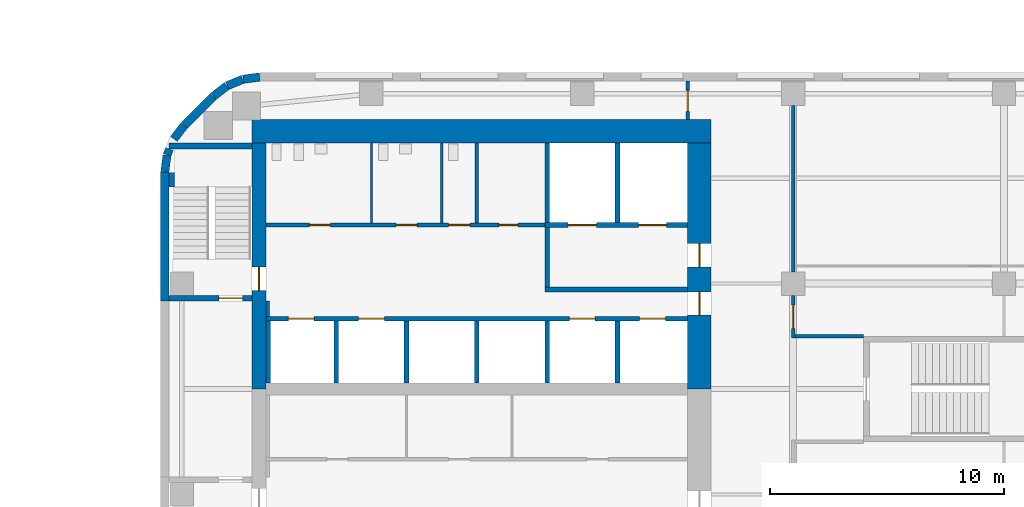
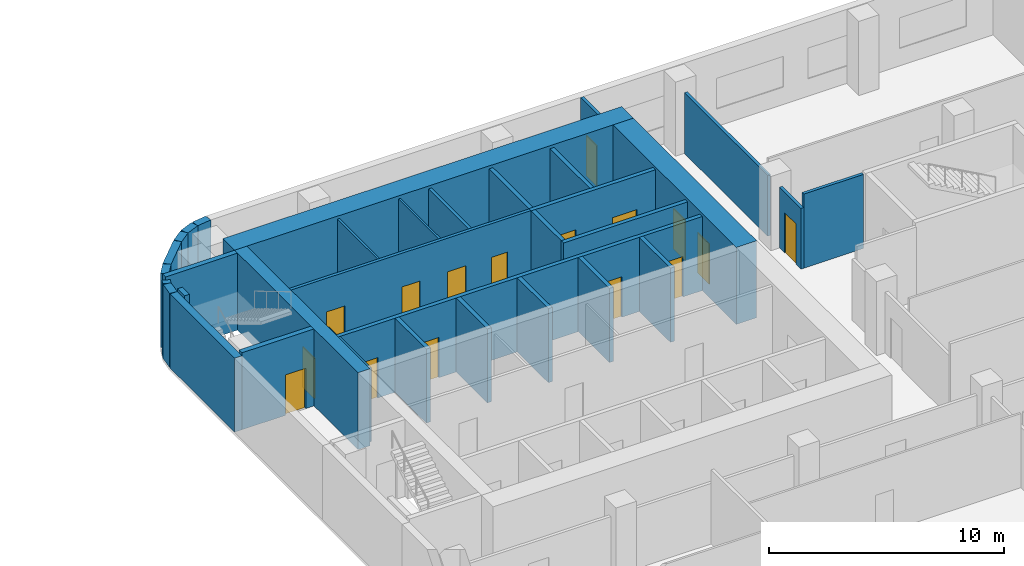
# One storey, part 11 of 16: 35 walls, 16 doors, 16 openings.
"""IFC4 building model written with IfcOpenShell, lengths in metres."""

from ifc_helpers import new_model, si_unit, direction, frame, frame_2d, origin, place, context, subcontext, project, spatial, rectangle, extrude, material, layer, layer_set, type_object, element, fill, save


model = new_model("IFC4")

# Units and contexts
model_context = context("Model", 3, precision=1e-05, world=origin(), true_north=direction((0.0, 1.0)))
body_context = subcontext(model_context, "Body", "Model", "MODEL_VIEW")
ifc_project = project(units=[si_unit("LENGTHUNIT", "METRE"), si_unit("AREAUNIT", "SQUARE_METRE"), si_unit("VOLUMEUNIT", "CUBIC_METRE"), si_unit("PLANEANGLEUNIT", "RADIAN"), si_unit("MASSUNIT", "GRAM", prefix="KILO")], contexts=[model_context])

# Site, building, storey
site_placement = place(None, origin())
site = spatial("IfcSite", under=ifc_project, at=site_placement, CompositionType="ELEMENT")
building_placement = place(site_placement, origin())
building = spatial("IfcBuilding", under=site, at=building_placement, Name="Cinnabar Reach Civic Tower", CompositionType="ELEMENT")
storey_placement = place(building_placement, frame((0.0, 0.0, 55.0)))
storey = spatial("IfcBuildingStorey", under=building, at=storey_placement, Name="L12", CompositionType="ELEMENT", Elevation=55.0)

# Walls
ifc_material_1 = material(Name="Facing brick with insulated backing", Category="masonry")
ifc_layer_1 = layer(ifc_material_1, 0.36)
ifc_layer_set_1 = layer_set([ifc_layer_1], Name="Brick corner wall")
wall_type_1 = type_object("IfcWallType", Name="Brick corner wall", PredefinedType="STANDARD", material=ifc_layer_set_1)
for number, where, z_axis, x_axis, name in (
    (1, (4.2314, 44.817, 0.0), (0.0, 0.0, 1.0), (-0.99144092581, -0.13055608231, 0.0), "Brick corner wall"),
    (2, (3.5027, 44.7181, 0.0), (0.0, 0.0, 1.0), (-0.923871547278, -0.382702709855, 0.0), "Brick corner wall"),
):
    element("IfcWall", number, at=place(storey_placement, frame(where, z_axis=z_axis, x_axis=x_axis)), inside=storey, type_object=wall_type_1, Name=name, PredefinedType="STANDARD", context=body_context, shape_type="SweptSolid", body=[
        extrude(rectangle(XDim=0.7131, YDim=0.36, at=frame_2d((0.3565, 0.0))), origin(), (0.0, 0.0, 1.0), 3.85),
    ])
for number, where, z_axis, x_axis, name in (
    (3, (2.8245, 44.434, 0.0), (0.0, 0.0, 1.0), (-0.793321924995, -0.608802368033, 0.0), "Brick corner wall"),
    (4, (1.0002, 42.7413, 0.0), (0.0, 0.0, 1.0), (-0.608802368033, -0.793321924995, 0.0), "Brick corner wall"),
):
    element("IfcWall", number, at=place(storey_placement, frame(where, z_axis=z_axis, x_axis=x_axis)), inside=storey, type_object=wall_type_1, Name=name, PredefinedType="STANDARD", context=body_context, shape_type="SweptSolid", body=[
        extrude(rectangle(XDim=0.7132, YDim=0.36, at=frame_2d((0.3566, 0.0))), origin(), (0.0, 0.0, 1.0), 3.85),
    ])
wall_1_placement = place(storey_placement, frame((0.3808, 41.736, 0.0), z_axis=(0.0, 0.0, 1.0), x_axis=(-0.382773360986, -0.923842277729, 0.0)))
element("IfcWall", 5, at=wall_1_placement, inside=storey, type_object=wall_type_1, Name="Brick corner wall", PredefinedType="STANDARD", context=body_context, shape_type="SweptSolid", body=[
    extrude(rectangle(XDim=0.2584, YDim=0.36, at=frame_2d((0.1292, 0.0))), origin(), (0.0, 0.0, 1.0), 3.85),
])
wall_2_placement = place(storey_placement, frame((0.2761, 41.4756, 0.0), z_axis=(0.0, 0.0, 1.0), x_axis=(-0.13055608231, -0.99144092581, 0.0)))
element("IfcWall", 6, at=wall_2_placement, inside=storey, type_object=wall_type_1, Name="Brick corner wall", PredefinedType="STANDARD", context=body_context, shape_type="SweptSolid", body=[
    extrude(rectangle(XDim=0.7131, YDim=0.36, at=frame_2d((0.3565, 0.0))), origin(), (0.0, 0.0, 1.0), 3.85),
])
ifc_layer_2 = layer(ifc_material_1, 0.36)
ifc_layer_set_2 = layer_set([ifc_layer_2], Name="Brick pier and spandrel wall")
wall_type_2 = type_object("IfcWallType", Name="Brick pier and spandrel wall", PredefinedType="STANDARD", material=ifc_layer_set_2)
wall_3_placement = place(storey_placement, frame((2.2486, 43.994, 0.0), z_axis=(0.0, 0.0, 1.0), x_axis=(-0.707106781187, -0.707106781187, 0.0)))
element("IfcWall", 7, at=wall_3_placement, inside=storey, type_object=wall_type_2, Name="Brick facade wall", PredefinedType="STANDARD", context=body_context, shape_type="SweptSolid", body=[
    extrude(rectangle(XDim=1.7573, YDim=0.36, at=frame_2d((0.8787, 0.0))), origin(), (0.0, 0.0, 1.0), 3.85),
])
wall_4_placement = place(storey_placement, frame((0.18, 40.7574, 0.0), z_axis=(0.0, 0.0, 1.0), x_axis=(0.0, -1.0, 0.0)))
element("IfcWall", 8, at=wall_4_placement, inside=storey, type_object=wall_type_2, Name="Brick facade wall", PredefinedType="STANDARD", context=body_context, shape_type="SweptSolid", body=[
    extrude(rectangle(XDim=5.5074, YDim=0.36, at=frame_2d((2.7537, 0.0))), origin(), (0.0, 0.0, 1.0), 3.85),
])
ifc_material_2 = material(Name="Concrete C70", Category="concrete")
ifc_layer_3 = layer(ifc_material_2, 1.0)
ifc_layer_set_3 = layer_set([ifc_layer_3], Name="Core wall 1000 EI 180")
wall_type_3 = type_object("IfcWallType", Name="Core wall 1000 EI 180", PredefinedType="SOLIDWALL", material=ifc_layer_set_3)
wall_5_placement = place(storey_placement, frame((23.5, 42.5, 0.0), z_axis=(0.0, 0.0, 1.0), x_axis=(-1.0, 0.0, 0.0)))
element("IfcWall", 9, at=wall_5_placement, inside=storey, type_object=wall_type_3, Name="Core wall T1 L12 N", PredefinedType="SOLIDWALL", context=body_context, shape_type="SweptSolid", body=[
    extrude(rectangle(XDim=19.6, YDim=1.0, at=frame_2d((9.8, 0.0))), origin(), (0.0, 0.0, 1.0), 4.0),
])

# Wall, openings, doors
wall_6_placement = place(storey_placement, frame((23.0, 31.5, 0.0), z_axis=(0.0, 0.0, 1.0), x_axis=(0.0, 1.0, 0.0)))
wall_6 = element("IfcWall", 10, at=wall_6_placement, inside=storey, type_object=wall_type_3, Name="Core wall T1 L12 E2", PredefinedType="SOLIDWALL", context=body_context, shape_type="SweptSolid", body=[
    extrude(rectangle(XDim=10.5, YDim=1.0, at=frame_2d((5.25, 0.0))), origin(), (0.0, 0.0, 1.0), 4.0),
])
opening_1_placement = place(wall_6_placement, frame((3.15, 0.0, 0.0)))
opening_1 = element("IfcOpeningElement", 11, at=opening_1_placement, cuts=wall_6, Name="Opening D3486", PredefinedType="OPENING", context=body_context, shape_type="SweptSolid", body=[
    extrude(rectangle(XDim=1.0, YDim=2.1, at=frame_2d((0.5, 1.05))), frame((0.0, 0.51, 0.0), z_axis=(0.0, -1.0, 0.0), x_axis=(1.0, 0.0, 0.0)), (0.0, 0.0, 1.0), 1.02),
])
opening_2_placement = place(wall_6_placement, frame((5.2, 0.0, 0.0)))
opening_2 = element("IfcOpeningElement", 12, at=opening_2_placement, cuts=wall_6, Name="Opening D3487", PredefinedType="OPENING", context=body_context, shape_type="SweptSolid", body=[
    extrude(rectangle(XDim=1.0, YDim=2.1, at=frame_2d((0.5, 1.05))), frame((0.0, 0.51, 0.0), z_axis=(0.0, -1.0, 0.0), x_axis=(1.0, 0.0, 0.0)), (0.0, 0.0, 1.0), 1.02),
])
ifc_material_3 = material(Name="Timber door leaf in steel frame", Category="steel")
door_type_1 = type_object("IfcDoorType", Name="Firefighting lobby door 1000 x 2100 T1", OperationType="SINGLE_SWING_LEFT", PredefinedType="DOOR", material=ifc_material_3)
door_1_placement = place(opening_2_placement, origin())
door_1 = element("IfcDoor", 13, at=door_1_placement, inside=storey, type_object=door_type_1, Name="Door D3487", OperationType="SINGLE_SWING_RIGHT", OverallHeight=2.1, OverallWidth=1.0, PredefinedType="DOOR", context=body_context, shape_type="SweptSolid", body=[
    extrude(rectangle(XDim=1.0, YDim=2.1, at=frame_2d((0.5, 1.05))), frame((0.0, 0.025, 0.0), z_axis=(0.0, -1.0, 0.0), x_axis=(1.0, 0.0, 0.0)), (0.0, 0.0, 1.0), 0.05),
])
fill(opening_2, door_1)
door_type_2 = type_object("IfcDoorType", Name="Single swing door 1000 x 2100 T1", OperationType="SINGLE_SWING_LEFT", PredefinedType="DOOR", material=ifc_material_3)
door_2_placement = place(opening_1_placement, origin())
door_2 = element("IfcDoor", 14, at=door_2_placement, inside=storey, type_object=door_type_2, Name="Door D3486", OperationType="SINGLE_SWING_RIGHT", OverallHeight=2.1, OverallWidth=1.0, PredefinedType="DOOR", context=body_context, shape_type="SweptSolid", body=[
    extrude(rectangle(XDim=1.0, YDim=2.1, at=frame_2d((0.5, 1.05))), frame((0.0, 0.025, 0.0), z_axis=(0.0, -1.0, 0.0), x_axis=(1.0, 0.0, 0.0)), (0.0, 0.0, 1.0), 0.05),
])
fill(opening_1, door_2)

# Wall, opening, door
ifc_layer_4 = layer(ifc_material_2, 0.6)
ifc_layer_set_4 = layer_set([ifc_layer_4], Name="Core wall 600 EI 180")
wall_type_4 = type_object("IfcWallType", Name="Core wall 600 EI 180", PredefinedType="SOLIDWALL", material=ifc_layer_set_4)
wall_7_placement = place(storey_placement, frame((4.2, 42.0, 0.0), z_axis=(0.0, 0.0, 1.0), x_axis=(0.0, -1.0, 0.0)))
wall_7 = element("IfcWall", 15, at=wall_7_placement, inside=storey, type_object=wall_type_4, Name="Core wall T1 L12 W", PredefinedType="SOLIDWALL", context=body_context, shape_type="SweptSolid", body=[
    extrude(rectangle(XDim=10.5, YDim=0.6, at=frame_2d((5.25, 0.0))), origin(), (0.0, 0.0, 1.0), 4.0),
])
opening_3_placement = place(wall_7_placement, frame((5.3, 0.0, 0.0)))
opening_3 = element("IfcOpeningElement", 16, at=opening_3_placement, cuts=wall_7, Name="Opening D3471", PredefinedType="OPENING", context=body_context, shape_type="SweptSolid", body=[
    extrude(rectangle(XDim=1.0, YDim=2.1, at=frame_2d((0.5, 1.05))), frame((0.0, 0.31, 0.0), z_axis=(0.0, -1.0, 0.0), x_axis=(1.0, 0.0, 0.0)), (0.0, 0.0, 1.0), 0.62),
])
door_type_3 = type_object("IfcDoorType", Name="Stair door 1000 x 2100 T1", OperationType="SINGLE_SWING_LEFT", PredefinedType="DOOR", material=ifc_material_3)
door_3_placement = place(opening_3_placement, frame((1.0, 0.0, 0.0), z_axis=(0.0, 0.0, 1.0), x_axis=(-1.0, 0.0, 0.0)))
door_3 = element("IfcDoor", 17, at=door_3_placement, inside=storey, type_object=door_type_3, Name="Door D3471", OperationType="SINGLE_SWING_LEFT", OverallHeight=2.1, OverallWidth=1.0, PredefinedType="DOOR", context=body_context, shape_type="SweptSolid", body=[
    extrude(rectangle(XDim=1.0, YDim=2.1, at=frame_2d((0.5, 1.05))), frame((0.0, 0.025, 0.0), z_axis=(0.0, -1.0, 0.0), x_axis=(1.0, 0.0, 0.0)), (0.0, 0.0, 1.0), 0.05),
])
fill(opening_3, door_3)

# Wall, openings, doors
ifc_material_4 = material(Name="Gypsum board on steel studs, double layer", Category="steel")
ifc_layer_5 = layer(ifc_material_4, 0.15)
ifc_layer_set_5 = layer_set([ifc_layer_5], Name="Corridor wall 150 T1")
wall_type_5 = type_object("IfcWallType", Name="Corridor wall 150 T1", PredefinedType="PARTITIONING", material=ifc_layer_set_5)
wall_8_placement = place(storey_placement, frame((4.5, 38.5, 0.0), z_axis=(0.0, 0.0, 1.0), x_axis=(1.0, 0.0, 0.0)))
wall_8 = element("IfcWall", 18, at=wall_8_placement, inside=storey, type_object=wall_type_5, Name="Corridor wall 28", PredefinedType="PARTITIONING", context=body_context, shape_type="SweptSolid", body=[
    extrude(rectangle(XDim=11.9, YDim=0.15, at=frame_2d((5.95, 0.0))), origin(), (0.0, 0.0, 1.0), 3.85),
])
opening_4_placement = place(wall_8_placement, frame((1.85, 0.0, 0.0)))
opening_4 = element("IfcOpeningElement", 19, at=opening_4_placement, cuts=wall_8, Name="Opening D3492", PredefinedType="OPENING", context=body_context, shape_type="SweptSolid", body=[
    extrude(rectangle(XDim=0.9, YDim=2.1, at=frame_2d((0.45, 1.05))), frame((0.0, 0.085, 0.0), z_axis=(0.0, -1.0, 0.0), x_axis=(1.0, 0.0, 0.0)), (0.0, 0.0, 1.0), 0.17),
])
opening_5_placement = place(wall_8_placement, frame((5.55, 0.0, 0.0)))
opening_5 = element("IfcOpeningElement", 20, at=opening_5_placement, cuts=wall_8, Name="Opening D3493", PredefinedType="OPENING", context=body_context, shape_type="SweptSolid", body=[
    extrude(rectangle(XDim=0.9, YDim=2.1, at=frame_2d((0.45, 1.05))), frame((0.0, 0.085, 0.0), z_axis=(0.0, -1.0, 0.0), x_axis=(1.0, 0.0, 0.0)), (0.0, 0.0, 1.0), 0.17),
])
opening_6_placement = place(wall_8_placement, frame((7.8, 0.0, 0.0)))
opening_6 = element("IfcOpeningElement", 21, at=opening_6_placement, cuts=wall_8, Name="Opening D3494", PredefinedType="OPENING", context=body_context, shape_type="SweptSolid", body=[
    extrude(rectangle(XDim=0.9, YDim=2.1, at=frame_2d((0.45, 1.05))), frame((0.0, 0.085, 0.0), z_axis=(0.0, -1.0, 0.0), x_axis=(1.0, 0.0, 0.0)), (0.0, 0.0, 1.0), 0.17),
])
opening_7_placement = place(wall_8_placement, frame((9.95, 0.0, 0.0)))
opening_7 = element("IfcOpeningElement", 22, at=opening_7_placement, cuts=wall_8, Name="Opening D3495", PredefinedType="OPENING", context=body_context, shape_type="SweptSolid", body=[
    extrude(rectangle(XDim=0.8, YDim=2.1, at=frame_2d((0.4, 1.05))), frame((0.0, 0.085, 0.0), z_axis=(0.0, -1.0, 0.0), x_axis=(1.0, 0.0, 0.0)), (0.0, 0.0, 1.0), 0.17),
])
door_type_4 = type_object("IfcDoorType", Name="Riser access door 800 x 2100 T1", OperationType="SINGLE_SWING_LEFT", PredefinedType="DOOR", material=ifc_material_3)
door_4_placement = place(opening_7_placement, origin())
door_4 = element("IfcDoor", 23, at=door_4_placement, inside=storey, type_object=door_type_4, Name="Door D3495", OperationType="SINGLE_SWING_RIGHT", OverallHeight=2.1, OverallWidth=0.8, PredefinedType="DOOR", context=body_context, shape_type="SweptSolid", body=[
    extrude(rectangle(XDim=0.8, YDim=2.1, at=frame_2d((0.4, 1.05))), frame((0.0, 0.025, 0.0), z_axis=(0.0, -1.0, 0.0), x_axis=(1.0, 0.0, 0.0)), (0.0, 0.0, 1.0), 0.05),
])
fill(opening_7, door_4)
door_type_5 = type_object("IfcDoorType", Name="Single swing door 900 x 2100 corridor T1", OperationType="SINGLE_SWING_LEFT", PredefinedType="DOOR", material=ifc_material_3)
door_5_placement = place(opening_4_placement, origin())
door_5 = element("IfcDoor", 24, at=door_5_placement, inside=storey, type_object=door_type_5, Name="Door D3492", OperationType="SINGLE_SWING_LEFT", OverallHeight=2.1, OverallWidth=0.9, PredefinedType="DOOR", context=body_context, shape_type="SweptSolid", body=[
    extrude(rectangle(XDim=0.9, YDim=2.1, at=frame_2d((0.45, 1.05))), frame((0.0, 0.025, 0.0), z_axis=(0.0, -1.0, 0.0), x_axis=(1.0, 0.0, 0.0)), (0.0, 0.0, 1.0), 0.05),
])
fill(opening_4, door_5)
door_6_placement = place(opening_5_placement, origin())
door_6 = element("IfcDoor", 25, at=door_6_placement, inside=storey, type_object=door_type_5, Name="Door D3493", OperationType="SINGLE_SWING_RIGHT", OverallHeight=2.1, OverallWidth=0.9, PredefinedType="DOOR", context=body_context, shape_type="SweptSolid", body=[
    extrude(rectangle(XDim=0.9, YDim=2.1, at=frame_2d((0.45, 1.05))), frame((0.0, 0.025, 0.0), z_axis=(0.0, -1.0, 0.0), x_axis=(1.0, 0.0, 0.0)), (0.0, 0.0, 1.0), 0.05),
])
fill(opening_5, door_6)
door_7_placement = place(opening_6_placement, origin())
door_7 = element("IfcDoor", 26, at=door_7_placement, inside=storey, type_object=door_type_5, Name="Door D3494", OperationType="SINGLE_SWING_RIGHT", OverallHeight=2.1, OverallWidth=0.9, PredefinedType="DOOR", context=body_context, shape_type="SweptSolid", body=[
    extrude(rectangle(XDim=0.9, YDim=2.1, at=frame_2d((0.45, 1.05))), frame((0.0, 0.025, 0.0), z_axis=(0.0, -1.0, 0.0), x_axis=(1.0, 0.0, 0.0)), (0.0, 0.0, 1.0), 0.05),
])
fill(opening_6, door_7)

# Wall, opening, door
wall_9_placement = place(storey_placement, frame((27.0, 33.675, 0.0), z_axis=(0.0, 0.0, 1.0), x_axis=(0.0, 1.0, 0.0)))
wall_9 = element("IfcWall", 27, at=wall_9_placement, inside=storey, type_object=wall_type_5, Name="Corridor wall 29", PredefinedType="PARTITIONING", context=body_context, shape_type="SweptSolid", body=[
    extrude(rectangle(XDim=1.825, YDim=0.15, at=frame_2d((0.9125, 0.0))), origin(), (0.0, 0.0, 1.0), 3.158),
])
opening_8_placement = place(wall_9_placement, frame((0.4, 0.0, 0.0)))
opening_8 = element("IfcOpeningElement", 28, at=opening_8_placement, cuts=wall_9, Name="Opening D3496", PredefinedType="OPENING", context=body_context, shape_type="SweptSolid", body=[
    extrude(rectangle(XDim=1.0, YDim=2.1, at=frame_2d((0.5, 1.05))), frame((0.0, 0.085, 0.0), z_axis=(0.0, -1.0, 0.0), x_axis=(1.0, 0.0, 0.0)), (0.0, 0.0, 1.0), 0.17),
])
door_type_6 = type_object("IfcDoorType", Name="Tenancy entrance door 1000 x 2100 T1", OperationType="SINGLE_SWING_LEFT", PredefinedType="DOOR", material=ifc_material_3)
door_8_placement = place(opening_8_placement, frame((1.0, 0.0, 0.0), z_axis=(0.0, 0.0, 1.0), x_axis=(-1.0, 0.0, 0.0)))
door_8 = element("IfcDoor", 29, at=door_8_placement, inside=storey, type_object=door_type_6, Name="Door D3496", OperationType="SINGLE_SWING_RIGHT", OverallHeight=2.1, OverallWidth=1.0, PredefinedType="DOOR", context=body_context, shape_type="SweptSolid", body=[
    extrude(rectangle(XDim=1.0, YDim=2.1, at=frame_2d((0.5, 1.05))), frame((0.0, 0.025, 0.0), z_axis=(0.0, -1.0, 0.0), x_axis=(1.0, 0.0, 0.0)), (0.0, 0.0, 1.0), 0.05),
])
fill(opening_8, door_8)

# Walls
wall_10_placement = place(storey_placement, frame((27.0, 36.5, 0.0), z_axis=(0.0, 0.0, 1.0), x_axis=(0.0, 1.0, 0.0)))
element("IfcWall", 30, at=wall_10_placement, inside=storey, type_object=wall_type_5, Name="Corridor wall 30", PredefinedType="PARTITIONING", context=body_context, shape_type="SweptSolid", body=[
    extrude(rectangle(XDim=7.1, YDim=0.15, at=frame_2d((3.55, 0.0))), origin(), (0.0, 0.0, 1.0), 3.158),
])
wall_11_placement = place(storey_placement, frame((27.075, 33.75, 0.0), z_axis=(0.0, 0.0, 1.0), x_axis=(1.0, 0.0, 0.0)))
element("IfcWall", 31, at=wall_11_placement, inside=storey, type_object=wall_type_5, Name="Corridor wall 36", PredefinedType="PARTITIONING", context=body_context, shape_type="SweptSolid", body=[
    extrude(rectangle(XDim=2.925, YDim=0.15, at=frame_2d((1.4625, 0.0))), origin(), (0.0, 0.0, 1.0), 3.85),
])

# Wall, opening, door
wall_12_placement = place(storey_placement, frame((22.5, 43.0, 0.0), z_axis=(0.0, 0.0, 1.0), x_axis=(0.0, 1.0, 0.0)))
wall_12 = element("IfcWall", 32, at=wall_12_placement, inside=storey, type_object=wall_type_5, Name="Corridor wall 37", PredefinedType="PARTITIONING", context=body_context, shape_type="SweptSolid", body=[
    extrude(rectangle(XDim=1.64, YDim=0.15, at=frame_2d((0.82, 0.0))), origin(), (0.0, 0.0, 1.0), 3.85),
])
opening_9_placement = place(wall_12_placement, frame((0.35, 0.0, 0.0)))
opening_9 = element("IfcOpeningElement", 33, at=opening_9_placement, cuts=wall_12, Name="Opening D5776", PredefinedType="OPENING", context=body_context, shape_type="SweptSolid", body=[
    extrude(rectangle(XDim=0.9, YDim=2.1, at=frame_2d((0.45, 1.05))), frame((0.0, 0.085, 0.0), z_axis=(0.0, -1.0, 0.0), x_axis=(1.0, 0.0, 0.0)), (0.0, 0.0, 1.0), 0.17),
])
door_9_placement = place(opening_9_placement, origin())
door_9 = element("IfcDoor", 34, at=door_9_placement, inside=storey, type_object=door_type_5, Name="Door D5776", OperationType="SINGLE_SWING_LEFT", OverallHeight=2.1, OverallWidth=0.9, PredefinedType="DOOR", context=body_context, shape_type="SweptSolid", body=[
    extrude(rectangle(XDim=0.9, YDim=2.1, at=frame_2d((0.45, 1.05))), frame((0.0, 0.025, 0.0), z_axis=(0.0, -1.0, 0.0), x_axis=(1.0, 0.0, 0.0)), (0.0, 0.0, 1.0), 0.05),
])
fill(opening_9, door_9)

# Wall
wall_13_placement = place(storey_placement, frame((4.575, 34.6, 0.0), z_axis=(0.0, 0.0, 1.0), x_axis=(0.0, 1.0, 0.0)))
element("IfcWall", 35, at=wall_13_placement, inside=storey, type_object=wall_type_5, Name="Corridor wall 38", PredefinedType="PARTITIONING", context=body_context, shape_type="SweptSolid", body=[
    extrude(rectangle(XDim=0.65, YDim=0.15, at=frame_2d((0.325, 0.0))), origin(), (0.0, 0.0, 1.0), 3.85),
])

# Wall, openings, doors
ifc_material_5 = material(Name="Blockwork", Category="masonry")
ifc_layer_6 = layer(ifc_material_5, 0.2)
ifc_layer_set_6 = layer_set([ifc_layer_6], Name="Lift shaft wall 200 T1")
wall_type_6 = type_object("IfcWallType", Name="Lift shaft wall 200 T1", PredefinedType="PARTITIONING", material=ifc_layer_set_6)
wall_14_placement = place(storey_placement, frame((4.5, 34.5, 0.0), z_axis=(0.0, 0.0, 1.0), x_axis=(1.0, 0.0, 0.0)))
wall_14 = element("IfcWall", 36, at=wall_14_placement, inside=storey, type_object=wall_type_6, Name="Lift shaft wall 5", PredefinedType="PARTITIONING", context=body_context, shape_type="SweptSolid", body=[
    extrude(rectangle(XDim=18.0, YDim=0.2, at=frame_2d((9.0, 0.0))), origin(), (0.0, 0.0, 1.0), 3.85),
])
opening_10_placement = place(wall_14_placement, frame((0.95, 0.0, 0.0)))
opening_10 = element("IfcOpeningElement", 37, at=opening_10_placement, cuts=wall_14, Name="Opening D3479", PredefinedType="OPENING", context=body_context, shape_type="SweptSolid", body=[
    extrude(rectangle(XDim=1.1, YDim=2.1, at=frame_2d((0.55, 1.05))), frame((0.0, 0.11, 0.0), z_axis=(0.0, -1.0, 0.0), x_axis=(1.0, 0.0, 0.0)), (0.0, 0.0, 1.0), 0.22),
])
opening_11_placement = place(wall_14_placement, frame((3.95, 0.0, 0.0)))
opening_11 = element("IfcOpeningElement", 38, at=opening_11_placement, cuts=wall_14, Name="Opening D3480", PredefinedType="OPENING", context=body_context, shape_type="SweptSolid", body=[
    extrude(rectangle(XDim=1.1, YDim=2.1, at=frame_2d((0.55, 1.05))), frame((0.0, 0.11, 0.0), z_axis=(0.0, -1.0, 0.0), x_axis=(1.0, 0.0, 0.0)), (0.0, 0.0, 1.0), 0.22),
])
opening_12_placement = place(wall_14_placement, frame((12.95, 0.0, 0.0)))
opening_12 = element("IfcOpeningElement", 39, at=opening_12_placement, cuts=wall_14, Name="Opening D3481", PredefinedType="OPENING", context=body_context, shape_type="SweptSolid", body=[
    extrude(rectangle(XDim=1.1, YDim=2.1, at=frame_2d((0.55, 1.05))), frame((0.0, 0.11, 0.0), z_axis=(0.0, -1.0, 0.0), x_axis=(1.0, 0.0, 0.0)), (0.0, 0.0, 1.0), 0.22),
])
opening_13_placement = place(wall_14_placement, frame((15.95, 0.0, 0.0)))
opening_13 = element("IfcOpeningElement", 40, at=opening_13_placement, cuts=wall_14, Name="Opening D3482", PredefinedType="OPENING", context=body_context, shape_type="SweptSolid", body=[
    extrude(rectangle(XDim=1.1, YDim=2.1, at=frame_2d((0.55, 1.05))), frame((0.0, 0.11, 0.0), z_axis=(0.0, -1.0, 0.0), x_axis=(1.0, 0.0, 0.0)), (0.0, 0.0, 1.0), 0.22),
])
ifc_material_6 = material(Name="Stainless steel sliding door", Category="steel")
door_type_7 = type_object("IfcDoorType", Name="Lift landing door 1100 x 2100 T1", OperationType="SLIDING_TO_LEFT", PredefinedType="DOOR", material=ifc_material_6)
door_10_placement = place(opening_10_placement, origin())
door_10 = element("IfcDoor", 41, at=door_10_placement, inside=storey, type_object=door_type_7, Name="Lift landing door SH1 L12", OperationType="SLIDING_TO_LEFT", OverallHeight=2.1, OverallWidth=1.1, PredefinedType="DOOR", context=body_context, shape_type="SweptSolid", body=[
    extrude(rectangle(XDim=1.1, YDim=2.1, at=frame_2d((0.55, 1.05))), frame((0.0, 0.025, 0.0), z_axis=(0.0, -1.0, 0.0), x_axis=(1.0, 0.0, 0.0)), (0.0, 0.0, 1.0), 0.05),
])
fill(opening_10, door_10)
door_11_placement = place(opening_11_placement, origin())
door_11 = element("IfcDoor", 42, at=door_11_placement, inside=storey, type_object=door_type_7, Name="Lift landing door SH2 L12", OperationType="SLIDING_TO_LEFT", OverallHeight=2.1, OverallWidth=1.1, PredefinedType="DOOR", context=body_context, shape_type="SweptSolid", body=[
    extrude(rectangle(XDim=1.1, YDim=2.1, at=frame_2d((0.55, 1.05))), frame((0.0, 0.025, 0.0), z_axis=(0.0, -1.0, 0.0), x_axis=(1.0, 0.0, 0.0)), (0.0, 0.0, 1.0), 0.05),
])
fill(opening_11, door_11)
door_12_placement = place(opening_12_placement, origin())
door_12 = element("IfcDoor", 43, at=door_12_placement, inside=storey, type_object=door_type_7, Name="Lift landing door SV1 L12", OperationType="SLIDING_TO_LEFT", OverallHeight=2.1, OverallWidth=1.1, PredefinedType="DOOR", context=body_context, shape_type="SweptSolid", body=[
    extrude(rectangle(XDim=1.1, YDim=2.1, at=frame_2d((0.55, 1.05))), frame((0.0, 0.025, 0.0), z_axis=(0.0, -1.0, 0.0), x_axis=(1.0, 0.0, 0.0)), (0.0, 0.0, 1.0), 0.05),
])
fill(opening_12, door_12)
door_13_placement = place(opening_13_placement, origin())
door_13 = element("IfcDoor", 44, at=door_13_placement, inside=storey, type_object=door_type_7, Name="Lift landing door SV2 L12", OperationType="SLIDING_TO_LEFT", OverallHeight=2.1, OverallWidth=1.1, PredefinedType="DOOR", context=body_context, shape_type="SweptSolid", body=[
    extrude(rectangle(XDim=1.1, YDim=2.1, at=frame_2d((0.55, 1.05))), frame((0.0, 0.025, 0.0), z_axis=(0.0, -1.0, 0.0), x_axis=(1.0, 0.0, 0.0)), (0.0, 0.0, 1.0), 0.05),
])
fill(opening_13, door_13)

# Walls
for number, where, z_axis, x_axis, name in (
    (45, (16.5, 38.6, 0.0), (0.0, 0.0, 1.0), (0.0, 1.0, 0.0), "Lift shaft wall 6"),
    (46, (19.5, 38.6, 0.0), (0.0, 0.0, 1.0), (0.0, 1.0, 0.0), "Lift shaft wall 7"),
):
    element("IfcWall", number, at=place(storey_placement, frame(where, z_axis=z_axis, x_axis=x_axis)), inside=storey, type_object=wall_type_6, Name=name, PredefinedType="PARTITIONING", context=body_context, shape_type="SweptSolid", body=[
        extrude(rectangle(XDim=3.4, YDim=0.2, at=frame_2d((1.7, 0.0))), origin(), (0.0, 0.0, 1.0), 3.85),
    ])
for number, where, z_axis, x_axis, name in (
    (47, (4.6, 31.75, 0.0), (0.0, 0.0, 1.0), (0.0, 1.0, 0.0), "Lift shaft wall 8"),
    (48, (7.5, 31.75, 0.0), (0.0, 0.0, 1.0), (0.0, 1.0, 0.0), "Lift shaft wall 10"),
    (49, (10.5, 31.75, 0.0), (0.0, 0.0, 1.0), (0.0, 1.0, 0.0), "Lift shaft wall 12"),
    (50, (13.5, 31.75, 0.0), (0.0, 0.0, 1.0), (0.0, 1.0, 0.0), "Lift shaft wall 14"),
    (51, (16.5, 31.75, 0.0), (0.0, 0.0, 1.0), (0.0, 1.0, 0.0), "Lift shaft wall 16"),
    (52, (19.5, 31.75, 0.0), (0.0, 0.0, 1.0), (0.0, 1.0, 0.0), "Lift shaft wall 18"),
):
    element("IfcWall", number, at=place(storey_placement, frame(where, z_axis=z_axis, x_axis=x_axis)), inside=storey, type_object=wall_type_6, Name=name, PredefinedType="PARTITIONING", context=body_context, shape_type="SweptSolid", body=[
        extrude(rectangle(XDim=2.65, YDim=0.2, at=frame_2d((1.325, 0.0))), origin(), (0.0, 0.0, 1.0), 3.85),
    ])
ifc_material_7 = material(Name="Gypsum board on steel studs", Category="steel")
ifc_layer_7 = layer(ifc_material_7, 0.1)
ifc_layer_set_7 = layer_set([ifc_layer_7], Name="Partition wall 100 T1")
wall_type_7 = type_object("IfcWallType", Name="Partition wall 100 T1", PredefinedType="PARTITIONING", material=ifc_layer_set_7)
for number, where, z_axis, x_axis, name in (
    (53, (9.0, 38.575, 0.0), (0.0, 0.0, 1.0), (0.0, 1.0, 0.0), "Partition wall 61"),
    (54, (12.0, 38.575, 0.0), (0.0, 0.0, 1.0), (0.0, 1.0, 0.0), "Partition wall 62"),
):
    element("IfcWall", number, at=place(storey_placement, frame(where, z_axis=z_axis, x_axis=x_axis)), inside=storey, type_object=wall_type_7, Name=name, PredefinedType="PARTITIONING", context=body_context, shape_type="SweptSolid", body=[
        extrude(rectangle(XDim=3.425, YDim=0.1, at=frame_2d((1.7125, 0.0))), origin(), (0.0, 0.0, 1.0), 3.85),
    ])
ifc_material_8 = material(Name="Concrete C40", Category="concrete")
ifc_layer_8 = layer(ifc_material_8, 0.2)
ifc_layer_set_8 = layer_set([ifc_layer_8], Name="Refuge compartment wall 200 T1")
wall_type_8 = type_object("IfcWallType", Name="Refuge compartment wall 200 T1", PredefinedType="PARTITIONING", material=ifc_layer_set_8)
wall_15_placement = place(storey_placement, frame((16.4, 35.75, 0.0), z_axis=(0.0, 0.0, 1.0), x_axis=(1.0, 0.0, 0.0)))
element("IfcWall", 55, at=wall_15_placement, inside=storey, type_object=wall_type_8, Name="Refuge compartment wall 1", PredefinedType="PARTITIONING", context=body_context, shape_type="SweptSolid", body=[
    extrude(rectangle(XDim=6.1, YDim=0.2, at=frame_2d((3.05, 0.0))), origin(), (0.0, 0.0, 1.0), 3.85),
])

# Wall, openings, doors
wall_16_placement = place(storey_placement, frame((16.4, 38.5, 0.0), z_axis=(0.0, 0.0, 1.0), x_axis=(1.0, 0.0, 0.0)))
wall_16 = element("IfcWall", 56, at=wall_16_placement, inside=storey, type_object=wall_type_8, Name="Refuge compartment wall 2", PredefinedType="PARTITIONING", context=body_context, shape_type="SweptSolid", body=[
    extrude(rectangle(XDim=6.1, YDim=0.2, at=frame_2d((3.05, 0.0))), origin(), (0.0, 0.0, 1.0), 3.85),
])
opening_14_placement = place(wall_16_placement, frame((1.0, 0.0, 0.0)))
opening_14 = element("IfcOpeningElement", 57, at=opening_14_placement, cuts=wall_16, Name="Opening D3483", PredefinedType="OPENING", context=body_context, shape_type="SweptSolid", body=[
    extrude(rectangle(XDim=1.2, YDim=2.1, at=frame_2d((0.6, 1.05))), frame((0.0, 0.11, 0.0), z_axis=(0.0, -1.0, 0.0), x_axis=(1.0, 0.0, 0.0)), (0.0, 0.0, 1.0), 0.22),
])
opening_15_placement = place(wall_16_placement, frame((4.0, 0.0, 0.0)))
opening_15 = element("IfcOpeningElement", 58, at=opening_15_placement, cuts=wall_16, Name="Opening D3484", PredefinedType="OPENING", context=body_context, shape_type="SweptSolid", body=[
    extrude(rectangle(XDim=1.2, YDim=2.1, at=frame_2d((0.6, 1.05))), frame((0.0, 0.11, 0.0), z_axis=(0.0, -1.0, 0.0), x_axis=(1.0, 0.0, 0.0)), (0.0, 0.0, 1.0), 0.22),
])
door_type_8 = type_object("IfcDoorType", Name="Firefighting lift landing door 1200 x 2100 T1", OperationType="SLIDING_TO_LEFT", PredefinedType="DOOR", material=ifc_material_6)
door_14_placement = place(opening_14_placement, origin())
door_14 = element("IfcDoor", 59, at=door_14_placement, inside=storey, type_object=door_type_8, Name="Lift landing door FF1 L12", OperationType="SLIDING_TO_LEFT", OverallHeight=2.1, OverallWidth=1.2, PredefinedType="DOOR", context=body_context, shape_type="SweptSolid", body=[
    extrude(rectangle(XDim=1.2, YDim=2.1, at=frame_2d((0.6, 1.05))), frame((0.0, 0.025, 0.0), z_axis=(0.0, -1.0, 0.0), x_axis=(1.0, 0.0, 0.0)), (0.0, 0.0, 1.0), 0.05),
])
fill(opening_14, door_14)
door_15_placement = place(opening_15_placement, origin())
door_15 = element("IfcDoor", 60, at=door_15_placement, inside=storey, type_object=door_type_8, Name="Lift landing door FF2 L12", OperationType="SLIDING_TO_LEFT", OverallHeight=2.1, OverallWidth=1.2, PredefinedType="DOOR", context=body_context, shape_type="SweptSolid", body=[
    extrude(rectangle(XDim=1.2, YDim=2.1, at=frame_2d((0.6, 1.05))), frame((0.0, 0.025, 0.0), z_axis=(0.0, -1.0, 0.0), x_axis=(1.0, 0.0, 0.0)), (0.0, 0.0, 1.0), 0.05),
])
fill(opening_15, door_15)

# Walls
wall_17_placement = place(storey_placement, frame((16.5, 35.85, 0.0), z_axis=(0.0, 0.0, 1.0), x_axis=(0.0, 1.0, 0.0)))
element("IfcWall", 61, at=wall_17_placement, inside=storey, type_object=wall_type_8, Name="Refuge compartment wall 3", PredefinedType="PARTITIONING", context=body_context, shape_type="SweptSolid", body=[
    extrude(rectangle(XDim=2.55, YDim=0.2, at=frame_2d((1.275, 0.0))), origin(), (0.0, 0.0, 1.0), 3.85),
])
ifc_layer_9 = layer(ifc_material_5, 0.15)
ifc_layer_set_9 = layer_set([ifc_layer_9], Name="Riser wall 150 T1")
wall_type_9 = type_object("IfcWallType", Name="Riser wall 150 T1", PredefinedType="PARTITIONING", material=ifc_layer_set_9)
wall_18_placement = place(storey_placement, frame((13.5, 38.575, 0.0), z_axis=(0.0, 0.0, 1.0), x_axis=(0.0, 1.0, 0.0)))
element("IfcWall", 62, at=wall_18_placement, inside=storey, type_object=wall_type_9, Name="Riser wall 39", PredefinedType="PARTITIONING", context=body_context, shape_type="SweptSolid", body=[
    extrude(rectangle(XDim=3.425, YDim=0.15, at=frame_2d((1.7125, 0.0))), origin(), (0.0, 0.0, 1.0), 3.85),
])

# Wall, opening, door
ifc_material_9 = material(Name="Concrete C60", Category="concrete")
ifc_layer_10 = layer(ifc_material_9, 0.25)
ifc_layer_set_10 = layer_set([ifc_layer_10], Name="Stair shaft wall 250 EI 120")
wall_type_10 = type_object("IfcWallType", Name="Stair shaft wall 250 EI 120", PredefinedType="SOLIDWALL", material=ifc_layer_set_10)
wall_19_placement = place(storey_placement, frame((0.36, 35.375, 0.0), z_axis=(0.0, 0.0, 1.0), x_axis=(1.0, 0.0, 0.0)))
wall_19 = element("IfcWall", 63, at=wall_19_placement, inside=storey, type_object=wall_type_10, Name="Stair shaft wall T1-S2 L12", PredefinedType="SOLIDWALL", context=body_context, shape_type="SweptSolid", body=[
    extrude(rectangle(XDim=3.54, YDim=0.25, at=frame_2d((1.77, 0.0))), origin(), (0.0, 0.0, 1.0), 4.0),
])
opening_16_placement = place(wall_19_placement, frame((2.14, 0.0, 0.0)))
opening_16 = element("IfcOpeningElement", 64, at=opening_16_placement, cuts=wall_19, Name="Opening D3472", PredefinedType="OPENING", context=body_context, shape_type="SweptSolid", body=[
    extrude(rectangle(XDim=1.0, YDim=2.1, at=frame_2d((0.5, 1.05))), frame((0.0, 0.135, 0.0), z_axis=(0.0, -1.0, 0.0), x_axis=(1.0, 0.0, 0.0)), (0.0, 0.0, 1.0), 0.27),
])
door_16_placement = place(opening_16_placement, origin())
door_16 = element("IfcDoor", 65, at=door_16_placement, inside=storey, type_object=door_type_3, Name="Door D3472", OperationType="SINGLE_SWING_RIGHT", OverallHeight=2.1, OverallWidth=1.0, PredefinedType="DOOR", context=body_context, shape_type="SweptSolid", body=[
    extrude(rectangle(XDim=1.0, YDim=2.1, at=frame_2d((0.5, 1.05))), frame((0.0, 0.025, 0.0), z_axis=(0.0, -1.0, 0.0), x_axis=(1.0, 0.0, 0.0)), (0.0, 0.0, 1.0), 0.05),
])
fill(opening_16, door_16)

# Walls
wall_20_placement = place(storey_placement, frame((3.9, 41.875, 0.0), z_axis=(0.0, 0.0, 1.0), x_axis=(-1.0, 0.0, 0.0)))
element("IfcWall", 66, at=wall_20_placement, inside=storey, type_object=wall_type_10, Name="Stair shaft wall T1-S2 L12", PredefinedType="SOLIDWALL", context=body_context, shape_type="SweptSolid", body=[
    extrude(rectangle(XDim=3.54, YDim=0.25, at=frame_2d((1.77, 0.0))), origin(), (0.0, 0.0, 1.0), 4.0),
])
ifc_material_10 = material(Name="Concrete C40/50", Category="concrete")
ifc_layer_11 = layer(ifc_material_10, 0.24)
ifc_layer_set_11 = layer_set([ifc_layer_11], Name="T1 landing bearer wall 240")
wall_type_11 = type_object("IfcWallType", Name="T1 landing bearer wall 240", PredefinedType="STANDARD", material=ifc_layer_set_11)
wall_21_placement = place(storey_placement, frame((0.48, 40.13, 0.0), z_axis=(0.0, 0.0, 1.0), x_axis=(0.0, 1.0, 0.0)))
element("IfcWall", 67, at=wall_21_placement, inside=storey, type_object=wall_type_11, Name="T1-S2 landing bearer wall", PredefinedType="STANDARD", context=body_context, shape_type="SweptSolid", body=[
    extrude(rectangle(XDim=0.6151, YDim=0.24, at=frame_2d((0.3075, 0.0))), origin(), (0.0, 0.0, 1.0), 4.0),
])

save(model, "model.ifc")
